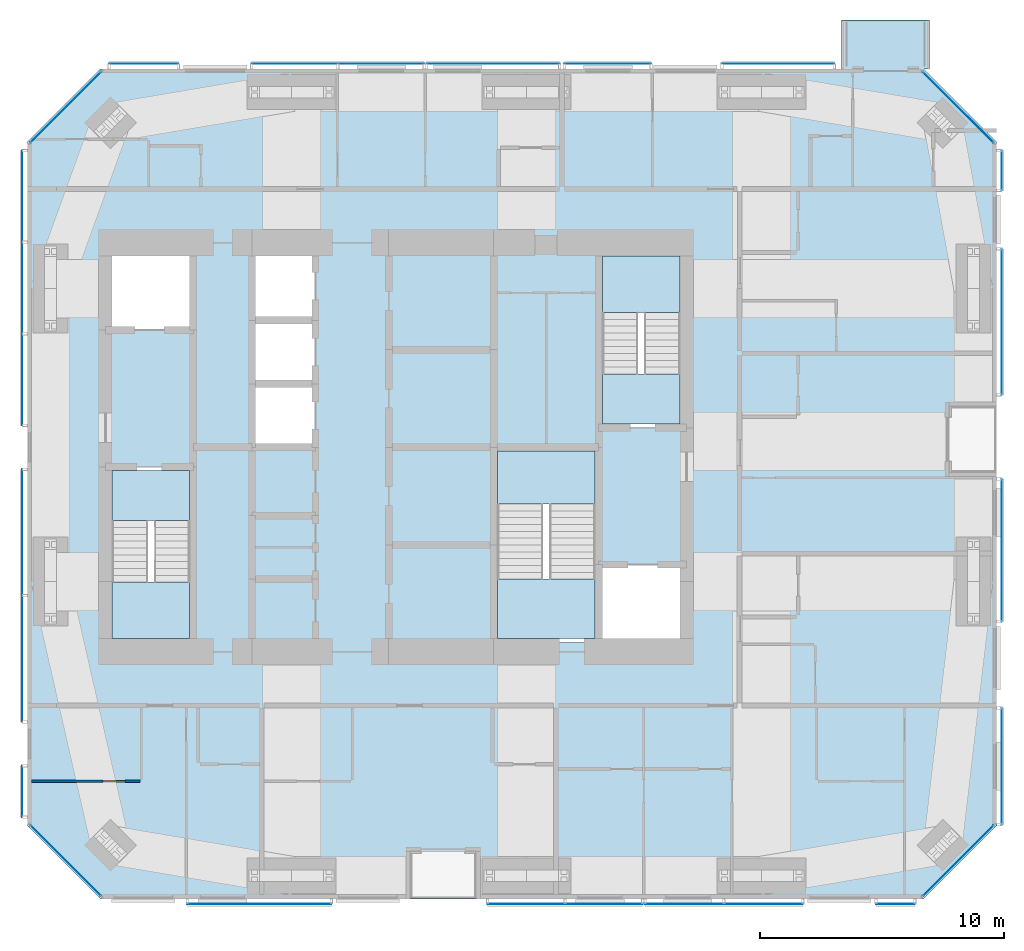
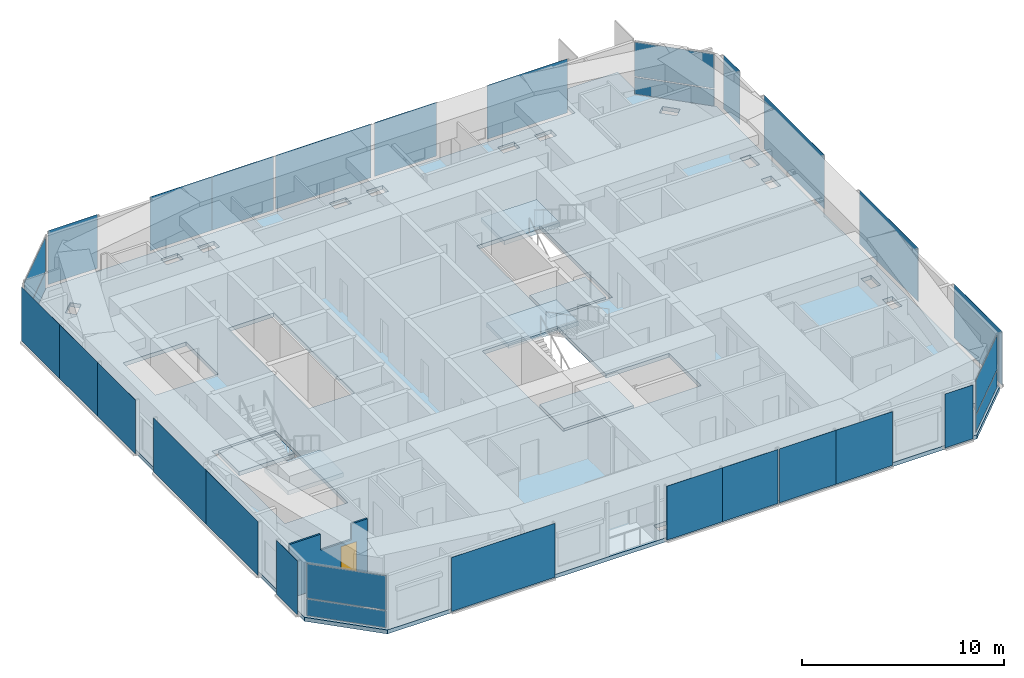
# One storey, part 12 of 19: 30 plates, 7 slabs, 1 door, 1 wall, 1 opening, 23 elements without a shape of their own.
"""IFC4 building model written with IfcOpenShell, lengths in metres."""

from ifc_helpers import new_model, si_unit, direction, frame, frame_2d, origin, origin_2d, place, context, subcontext, project, spatial, polyline, rectangle, outline, extrude, material, layer, layer_set, constituent, constituent_set, type_object, element, fill, aggregate, save


model = new_model("IFC4")

# Units and contexts
model_context = context("Model", 3, precision=1e-05, world=origin(), true_north=direction((0.0, 1.0)))
body_context = subcontext(model_context, "Body", "Model", "MODEL_VIEW")
ifc_project = project(units=[si_unit("LENGTHUNIT", "METRE"), si_unit("AREAUNIT", "SQUARE_METRE"), si_unit("VOLUMEUNIT", "CUBIC_METRE"), si_unit("PLANEANGLEUNIT", "RADIAN"), si_unit("MASSUNIT", "GRAM", prefix="KILO")], contexts=[model_context])

# Site, building, storey
site_placement = place(None, origin())
site = spatial("IfcSite", under=ifc_project, at=site_placement, CompositionType="ELEMENT")
building_placement = place(site_placement, origin())
building = spatial("IfcBuilding", under=site, at=building_placement, Name="Jalousie Tower", CompositionType="ELEMENT")
storey_placement = place(building_placement, frame((0.0, 0.0, 224.949951171875)))
storey = spatial("IfcBuildingStorey", under=building, at=storey_placement, Name="L61", CompositionType="ELEMENT", Elevation=224.949951171875)

# Curtain wall, plates
ifc_material_1 = material(Name="Aluminium curtain wall", Category="aluminium")
curtain_wall_type_1 = type_object("IfcCurtainWallType", Name="CORNER WINDOW WALL", PredefinedType="USERDEFINED", material=ifc_material_1)
curtain_wall_1_placement = place(storey_placement, origin())
curtain_wall_1 = element("IfcCurtainWall", 1, at=curtain_wall_1_placement, inside=storey, type_object=curtain_wall_type_1, Name="Corner Window Wall L61 2", ObjectType="CORNER WINDOW WALL", PredefinedType="USERDEFINED")
ifc_material_2 = material(Name="Laminated impact-rated spandrel glass", Category="glass")
ifc_layer_1 = layer(ifc_material_2, 0.028076171875)
ifc_layer_set_1 = layer_set([ifc_layer_1], Name="Laminated impact-rated spandrel glass")
plate_type_1 = type_object("IfcPlateType", Name="CORNER WINDOW WALL PANEL", PredefinedType="CURTAIN_PANEL", material=ifc_layer_set_1)
plate_1_placement = place(storey_placement, frame((54.9306640625, 1.5693359375, 0.06005859375), z_axis=(0.0, 0.0, 1.0), x_axis=(0.707106781187, 0.707106781187, 0.0)))
plate_1 = element("IfcPlate", 2, at=plate_1_placement, type_object=plate_type_1, Name="CW-C panel 1.1", PredefinedType="CURTAIN_PANEL", context=body_context, shape_type="SweptSolid", body=[
    extrude(rectangle(XDim=4.071533203125, YDim=0.028076171875, at=origin_2d()), origin(), (0.0, 0.0, 1.0), 1.010009765625),
])
plate_2_placement = place(storey_placement, frame((54.9306640625, 1.5693359375, 1.1298828125), z_axis=(0.0, 0.0, 1.0), x_axis=(0.707106781187, 0.707106781187, 0.0)))
plate_2 = element("IfcPlate", 3, at=plate_2_placement, type_object=plate_type_1, Name="CW-C panel 1.2", PredefinedType="CURTAIN_PANEL", context=body_context, shape_type="SweptSolid", body=[
    extrude(rectangle(XDim=4.071533203125, YDim=0.028076171875, at=origin_2d()), origin(), (0.0, 0.0, 1.0), 2.070068359375),
])
aggregate(curtain_wall_1, [plate_1, plate_2])

curtain_wall_2_placement = place(storey_placement, origin())
curtain_wall_2 = element("IfcCurtainWall", 4, at=curtain_wall_2_placement, inside=storey, type_object=curtain_wall_type_1, Name="Corner Window Wall L61 4", ObjectType="CORNER WINDOW WALL", PredefinedType="USERDEFINED")
plate_3_placement = place(storey_placement, frame((54.9306640625, 32.4306640625, 0.06005859375), z_axis=(0.0, 0.0, 1.0), x_axis=(-0.707106781187, 0.707106781187, 0.0)))
plate_3 = element("IfcPlate", 5, at=plate_3_placement, type_object=plate_type_1, Name="CW-C panel 1.1", PredefinedType="CURTAIN_PANEL", context=body_context, shape_type="SweptSolid", body=[
    extrude(rectangle(XDim=4.071533203125, YDim=0.028076171875, at=origin_2d()), origin(), (0.0, 0.0, 1.0), 1.010009765625),
])
plate_4_placement = place(storey_placement, frame((54.9306640625, 32.4306640625, 1.1298828125), z_axis=(0.0, 0.0, 1.0), x_axis=(-0.707106781187, 0.707106781187, 0.0)))
plate_4 = element("IfcPlate", 6, at=plate_4_placement, type_object=plate_type_1, Name="CW-C panel 1.2", PredefinedType="CURTAIN_PANEL", context=body_context, shape_type="SweptSolid", body=[
    extrude(rectangle(XDim=4.071533203125, YDim=0.028076171875, at=origin_2d()), origin(), (0.0, 0.0, 1.0), 2.070068359375),
])
aggregate(curtain_wall_2, [plate_3, plate_4])

curtain_wall_3_placement = place(storey_placement, origin())
curtain_wall_3 = element("IfcCurtainWall", 7, at=curtain_wall_3_placement, inside=storey, type_object=curtain_wall_type_1, Name="Corner Window Wall L61 6", ObjectType="CORNER WINDOW WALL", PredefinedType="USERDEFINED")
plate_5_placement = place(storey_placement, frame((18.369384765625, 32.4306640625, 0.06005859375), z_axis=(0.0, 0.0, 1.0), x_axis=(-0.707106781187, -0.707106781187, 0.0)))
plate_5 = element("IfcPlate", 8, at=plate_5_placement, type_object=plate_type_1, Name="CW-C panel 1.1", PredefinedType="CURTAIN_PANEL", context=body_context, shape_type="SweptSolid", body=[
    extrude(rectangle(XDim=4.071533203125, YDim=0.028076171875, at=origin_2d()), origin(), (0.0, 0.0, 1.0), 1.010009765625),
])
plate_6_placement = place(storey_placement, frame((18.369384765625, 32.4306640625, 1.1298828125), z_axis=(0.0, 0.0, 1.0), x_axis=(-0.707106781187, -0.707106781187, 0.0)))
plate_6 = element("IfcPlate", 9, at=plate_6_placement, type_object=plate_type_1, Name="CW-C panel 1.2", PredefinedType="CURTAIN_PANEL", context=body_context, shape_type="SweptSolid", body=[
    extrude(rectangle(XDim=4.071533203125, YDim=0.028076171875, at=origin_2d()), origin(), (0.0, 0.0, 1.0), 2.070068359375),
])
aggregate(curtain_wall_3, [plate_5, plate_6])

curtain_wall_4_placement = place(storey_placement, origin())
curtain_wall_4 = element("IfcCurtainWall", 10, at=curtain_wall_4_placement, inside=storey, type_object=curtain_wall_type_1, Name="Corner Window Wall L61 8", ObjectType="CORNER WINDOW WALL", PredefinedType="USERDEFINED")
plate_7_placement = place(storey_placement, frame((18.369384765625, 1.5693359375, 0.06005859375), z_axis=(0.0, 0.0, 1.0), x_axis=(0.707106781187, -0.707106781187, 0.0)))
plate_7 = element("IfcPlate", 11, at=plate_7_placement, type_object=plate_type_1, Name="CW-C panel 1.1", PredefinedType="CURTAIN_PANEL", context=body_context, shape_type="SweptSolid", body=[
    extrude(rectangle(XDim=4.071533203125, YDim=0.028076171875, at=origin_2d()), origin(), (0.0, 0.0, 1.0), 1.010009765625),
])
plate_8_placement = place(storey_placement, frame((18.369384765625, 1.5693359375, 1.1298828125), z_axis=(0.0, 0.0, 1.0), x_axis=(0.707106781187, -0.707106781187, 0.0)))
plate_8 = element("IfcPlate", 12, at=plate_8_placement, type_object=plate_type_1, Name="CW-C panel 1.2", PredefinedType="CURTAIN_PANEL", context=body_context, shape_type="SweptSolid", body=[
    extrude(rectangle(XDim=4.071533203125, YDim=0.028076171875, at=origin_2d()), origin(), (0.0, 0.0, 1.0), 2.070068359375),
])
aggregate(curtain_wall_4, [plate_7, plate_8])

# Slab
ifc_material_3 = material(Name="Concrete f'c 40 MPa", Category="concrete")
ifc_layer_2 = layer(ifc_material_3, 0.239990234375)
ifc_layer_set_2 = layer_set([ifc_layer_2], Name="Concrete f'c 40 MPa")
slab_type_1 = type_object("IfcSlabType", Name="FLOOR SLAB 240", PredefinedType="FLOOR", material=ifc_layer_set_2)
slab_1_placement = place(storey_placement, frame((0.0, 0.0, -0.239990234375)))
element("IfcSlab", 13, at=slab_1_placement, inside=storey, type_object=slab_type_1, Name="L61 floor slab", PredefinedType="FLOOR", context=body_context, shape_type="SweptSolid", body=[
    extrude(outline(polyline([(16.800048828125, 3.0), (16.800048828125, 31.0), (19.800048828125, 34.0), (50.148681640625, 34.0), (50.148681640625, 36.0), (53.748779296875, 36.0), (53.748779296875, 34.0), (53.5, 34.0), (56.5, 31.0), (56.5, 3.0), (53.5, 0.0), (19.800048828125, 0.0), (16.800048828125, 3.0)]), holes=[polyline([(55.836181640625, 26.52490234375), (55.263916015625, 26.52490234375), (55.263916015625, 25.574462890625), (55.836181640625, 25.574462890625), (55.836181640625, 26.52490234375)]), polyline([(55.836181640625, 23.47509765625), (55.836181640625, 24.425537109375), (55.263916015625, 24.425537109375), (55.263916015625, 23.47509765625), (55.836181640625, 23.47509765625)]), polyline([(55.836181640625, 13.574462890625), (55.836181640625, 14.52490234375), (55.263916015625, 14.52490234375), (55.263916015625, 13.574462890625), (55.836181640625, 13.574462890625)]), polyline([(55.836181640625, 11.47509765625), (55.836181640625, 12.425537109375), (55.263916015625, 12.425537109375), (55.263916015625, 11.47509765625), (55.836181640625, 11.47509765625)]), polyline([(54.177001953125, 1.6865234375), (54.8134765625, 2.322998046875), (54.40869140625, 2.727783203125), (53.772216796875, 2.09130859375), (54.177001953125, 1.6865234375)]), polyline([(53.772216796875, 31.90869140625), (54.40869140625, 31.272216796875), (54.8134765625, 31.677001953125), (54.177001953125, 32.3134765625), (53.772216796875, 31.90869140625)]), polyline([(47.449462890625, 33.336181640625), (47.449462890625, 32.763916015625), (48.39990234375, 32.763916015625), (48.39990234375, 33.336181640625), (47.449462890625, 33.336181640625)]), polyline([(47.449462890625, 1.236083984375), (47.449462890625, 0.663818359375), (48.39990234375, 0.663818359375), (48.39990234375, 1.236083984375), (47.449462890625, 1.236083984375)]), polyline([(46.300537109375, 33.336181640625), (45.35009765625, 33.336181640625), (45.35009765625, 32.763916015625), (46.300537109375, 32.763916015625), (46.300537109375, 33.336181640625)]), polyline([(46.300537109375, 0.663818359375), (46.300537109375, 1.236083984375), (45.35009765625, 1.236083984375), (45.35009765625, 0.663818359375), (46.300537109375, 0.663818359375)]), polyline([(43.800048828125, 19.300048828125), (43.800048828125, 26.5), (40.199951171875, 26.5), (40.199951171875, 19.300048828125), (43.800048828125, 19.300048828125)]), polyline([(43.800048828125, 10.5), (43.800048828125, 13.699951171875), (40.199951171875, 13.699951171875), (40.199951171875, 18.5), (35.89990234375, 18.5), (35.89990234375, 10.5), (43.800048828125, 10.5)]), polyline([(37.824462890625, 32.763916015625), (38.77490234375, 32.763916015625), (38.77490234375, 33.336181640625), (37.824462890625, 33.336181640625), (37.824462890625, 32.763916015625)]), polyline([(37.824462890625, 0.663818359375), (38.77490234375, 0.663818359375), (38.77490234375, 1.236083984375), (37.824462890625, 1.236083984375), (37.824462890625, 0.663818359375)]), polyline([(36.675537109375, 1.236083984375), (35.72509765625, 1.236083984375), (35.72509765625, 0.663818359375), (36.675537109375, 0.663818359375), (36.675537109375, 1.236083984375)]), polyline([(36.675537109375, 33.336181640625), (35.72509765625, 33.336181640625), (35.72509765625, 32.763916015625), (36.675537109375, 32.763916015625), (36.675537109375, 33.336181640625)]), polyline([(29.14990234375, 33.336181640625), (28.199462890625, 33.336181640625), (28.199462890625, 32.763916015625), (29.14990234375, 32.763916015625), (29.14990234375, 33.336181640625)]), polyline([(28.199462890625, 0.663818359375), (29.14990234375, 0.663818359375), (29.14990234375, 1.236083984375), (28.199462890625, 1.236083984375), (28.199462890625, 0.663818359375)]), polyline([(28.60009765625, 18.5), (28.60009765625, 26.5), (26.0, 26.5), (26.0, 18.5), (28.60009765625, 18.5)]), polyline([(26.10009765625, 32.763916015625), (27.050537109375, 32.763916015625), (27.050537109375, 33.336181640625), (26.10009765625, 33.336181640625), (26.10009765625, 32.763916015625)]), polyline([(26.10009765625, 0.663818359375), (27.050537109375, 0.663818359375), (27.050537109375, 1.236083984375), (26.10009765625, 1.236083984375), (26.10009765625, 0.663818359375)]), polyline([(23.60009765625, 23.300048828125), (23.60009765625, 26.5), (20.0, 26.5), (20.0, 23.300048828125), (23.60009765625, 23.300048828125)]), polyline([(23.60009765625, 10.5), (23.60009765625, 17.699951171875), (20.0, 17.699951171875), (20.0, 10.5), (23.60009765625, 10.5)]), polyline([(19.6865234375, 31.677001953125), (20.09130859375, 31.272216796875), (20.727783203125, 31.90869140625), (20.322998046875, 32.3134765625), (19.6865234375, 31.677001953125)]), polyline([(19.6865234375, 2.322998046875), (20.322998046875, 1.6865234375), (20.727783203125, 2.09130859375), (20.09130859375, 2.727783203125), (19.6865234375, 2.322998046875)]), polyline([(17.4638671875, 24.425537109375), (17.4638671875, 23.47509765625), (18.0361328125, 23.47509765625), (18.0361328125, 24.425537109375), (17.4638671875, 24.425537109375)]), polyline([(18.0361328125, 25.574462890625), (18.0361328125, 26.52490234375), (17.4638671875, 26.52490234375), (17.4638671875, 25.574462890625), (18.0361328125, 25.574462890625)]), polyline([(18.0361328125, 14.52490234375), (17.4638671875, 14.52490234375), (17.4638671875, 13.574462890625), (18.0361328125, 13.574462890625), (18.0361328125, 14.52490234375)]), polyline([(18.0361328125, 11.47509765625), (18.0361328125, 12.425537109375), (17.4638671875, 12.425537109375), (17.4638671875, 11.47509765625), (18.0361328125, 11.47509765625)])]), origin(), (0.0, 0.0, 1.0), 0.239990234375),
])

# Curtain wall, plate
ifc_material_4 = material(Name="Perforated aluminium sheet", Category="aluminium")
curtain_wall_type_2 = type_object("IfcCurtainWallType", Name="SOLAR SCREEN SS-2", PredefinedType="USERDEFINED", material=ifc_material_4)
curtain_wall_5_placement = place(storey_placement, origin())
curtain_wall_5 = element("IfcCurtainWall", 14, at=curtain_wall_5_placement, inside=storey, type_object=curtain_wall_type_2, Name="Solar screen L61", ObjectType="SOLAR SCREEN SS-2", PredefinedType="USERDEFINED")
ifc_material_5 = material(Name="Perforated aluminium sheet", Category="aluminium")
ifc_layer_3 = layer(ifc_material_5, 0.006103515625)
ifc_layer_set_3 = layer_set([ifc_layer_3], Name="Perforated aluminium sheet")
plate_type_2 = type_object("IfcPlateType", Name="SOLAR SCREEN SS-2 PANEL", PredefinedType="CURTAIN_PANEL", material=ifc_layer_set_3)
plate_9_placement = place(storey_placement, frame((26.300048828125, -0.201171875, 0.0), z_axis=(0.0, 0.0, 1.0), x_axis=(1.0, 0.0, 0.0)))
plate_9 = element("IfcPlate", 15, at=plate_9_placement, type_object=plate_type_2, Name="SS2 perforated panel 1", PredefinedType="CURTAIN_PANEL", context=body_context, shape_type="SweptSolid", body=[
    extrude(rectangle(XDim=5.89990234375, YDim=0.006103515625, at=origin_2d()), origin(), (0.0, 0.0, 1.0), 3.260009765625),
])
aggregate(curtain_wall_5, [plate_9])

# Curtain wall, plates
curtain_wall_6_placement = place(storey_placement, origin())
curtain_wall_6 = element("IfcCurtainWall", 16, at=curtain_wall_6_placement, inside=storey, type_object=curtain_wall_type_2, Name="Solar screen L61", ObjectType="SOLAR SCREEN SS-2", PredefinedType="USERDEFINED")
plate_10_placement = place(storey_placement, frame((37.237548828125, -0.201171875, 0.0), z_axis=(0.0, 0.0, 1.0), x_axis=(1.0, 0.0, 0.0)))
plate_10 = element("IfcPlate", 17, at=plate_10_placement, type_object=plate_type_2, Name="SS2 perforated panel 1", PredefinedType="CURTAIN_PANEL", context=body_context, shape_type="SweptSolid", body=[
    extrude(rectangle(XDim=3.175048828125, YDim=0.006103515625, at=origin_2d()), origin(), (0.0, 0.0, 1.0), 3.260009765625),
])
plate_11_placement = place(storey_placement, frame((40.41259765625, -0.201171875, 0.0), z_axis=(0.0, 0.0, 1.0), x_axis=(1.0, 0.0, 0.0)))
plate_11 = element("IfcPlate", 18, at=plate_11_placement, type_object=plate_type_2, Name="SS2 perforated panel 2", PredefinedType="CURTAIN_PANEL", context=body_context, shape_type="SweptSolid", body=[
    extrude(rectangle(XDim=3.175048828125, YDim=0.006103515625, at=origin_2d()), origin(), (0.0, 0.0, 1.0), 3.260009765625),
])
aggregate(curtain_wall_6, [plate_10, plate_11])

curtain_wall_7_placement = place(storey_placement, origin())
curtain_wall_7 = element("IfcCurtainWall", 19, at=curtain_wall_7_placement, inside=storey, type_object=curtain_wall_type_2, Name="Solar screen L61", ObjectType="SOLAR SCREEN SS-2", PredefinedType="USERDEFINED")
plate_12_placement = place(storey_placement, frame((43.71484375, -0.201171875, 0.0), z_axis=(0.0, 0.0, 1.0), x_axis=(1.0, 0.0, 0.0)))
plate_12 = element("IfcPlate", 20, at=plate_12_placement, type_object=plate_type_2, Name="SS2 perforated panel 1", PredefinedType="CURTAIN_PANEL", context=body_context, shape_type="SweptSolid", body=[
    extrude(rectangle(XDim=3.229736328125, YDim=0.006103515625, at=origin_2d()), origin(), (0.0, 0.0, 1.0), 3.260009765625),
])
plate_13_placement = place(storey_placement, frame((46.944580078125, -0.201171875, 0.0), z_axis=(0.0, 0.0, 1.0), x_axis=(1.0, 0.0, 0.0)))
plate_13 = element("IfcPlate", 21, at=plate_13_placement, type_object=plate_type_2, Name="SS2 perforated panel 2", PredefinedType="CURTAIN_PANEL", context=body_context, shape_type="SweptSolid", body=[
    extrude(rectangle(XDim=3.229736328125, YDim=0.006103515625, at=origin_2d()), origin(), (0.0, 0.0, 1.0), 3.260009765625),
])
aggregate(curtain_wall_7, [plate_12, plate_13])

# Curtain wall, plate
curtain_wall_8_placement = place(storey_placement, origin())
curtain_wall_8 = element("IfcCurtainWall", 22, at=curtain_wall_8_placement, inside=storey, type_object=curtain_wall_type_2, Name="Solar screen L61", ObjectType="SOLAR SCREEN SS-2", PredefinedType="USERDEFINED")
plate_14_placement = place(storey_placement, frame((52.35400390625, -0.201171875, 0.0), z_axis=(0.0, 0.0, 1.0), x_axis=(1.0, 0.0, 0.0)))
plate_14 = element("IfcPlate", 23, at=plate_14_placement, type_object=plate_type_2, Name="SS2 perforated panel 1", PredefinedType="CURTAIN_PANEL", context=body_context, shape_type="SweptSolid", body=[
    extrude(rectangle(XDim=1.58935546875, YDim=0.006103515625, at=origin_2d()), origin(), (0.0, 0.0, 1.0), 3.260009765625),
])
aggregate(curtain_wall_8, [plate_14])

curtain_wall_9_placement = place(storey_placement, origin())
curtain_wall_9 = element("IfcCurtainWall", 24, at=curtain_wall_9_placement, inside=storey, type_object=curtain_wall_type_2, Name="Solar screen L61", ObjectType="SOLAR SCREEN SS-2", PredefinedType="USERDEFINED")
plate_15_placement = place(storey_placement, frame((56.701171875, 5.438232421875, 0.0), z_axis=(0.0, 0.0, 1.0), x_axis=(0.0, 1.0, 0.0)))
plate_15 = element("IfcPlate", 25, at=plate_15_placement, type_object=plate_type_2, Name="SS2 perforated panel 1", PredefinedType="CURTAIN_PANEL", context=body_context, shape_type="SweptSolid", body=[
    extrude(rectangle(XDim=4.773681640625, YDim=0.006103515625, at=origin_2d()), origin(), (0.0, 0.0, 1.0), 3.260009765625),
])
aggregate(curtain_wall_9, [plate_15])

curtain_wall_10_placement = place(storey_placement, origin())
curtain_wall_10 = element("IfcCurtainWall", 26, at=curtain_wall_10_placement, inside=storey, type_object=curtain_wall_type_2, Name="Solar screen L61", ObjectType="SOLAR SCREEN SS-2", PredefinedType="USERDEFINED")
plate_16_placement = place(storey_placement, frame((56.701171875, 14.28369140625, 0.0), z_axis=(0.0, 0.0, 1.0), x_axis=(0.0, 1.0, 0.0)))
plate_16 = element("IfcPlate", 27, at=plate_16_placement, type_object=plate_type_2, Name="SS2 perforated panel 1", PredefinedType="CURTAIN_PANEL", context=body_context, shape_type="SweptSolid", body=[
    extrude(rectangle(XDim=5.83251953125, YDim=0.006103515625, at=origin_2d()), origin(), (0.0, 0.0, 1.0), 3.260009765625),
])
aggregate(curtain_wall_10, [plate_16])

curtain_wall_11_placement = place(storey_placement, origin())
curtain_wall_11 = element("IfcCurtainWall", 28, at=curtain_wall_11_placement, inside=storey, type_object=curtain_wall_type_2, Name="Solar screen L61", ObjectType="SOLAR SCREEN SS-2", PredefinedType="USERDEFINED")
plate_17_placement = place(storey_placement, frame((56.701171875, 23.637451171875, 0.0), z_axis=(0.0, 0.0, 1.0), x_axis=(0.0, 1.0, 0.0)))
plate_17 = element("IfcPlate", 29, at=plate_17_placement, type_object=plate_type_2, Name="SS2 perforated panel 1", PredefinedType="CURTAIN_PANEL", context=body_context, shape_type="SweptSolid", body=[
    extrude(rectangle(XDim=5.97509765625, YDim=0.006103515625, at=origin_2d()), origin(), (0.0, 0.0, 1.0), 3.260009765625),
])
aggregate(curtain_wall_11, [plate_17])

curtain_wall_12_placement = place(storey_placement, origin())
curtain_wall_12 = element("IfcCurtainWall", 30, at=curtain_wall_12_placement, inside=storey, type_object=curtain_wall_type_2, Name="Solar screen L61", ObjectType="SOLAR SCREEN SS-2", PredefinedType="USERDEFINED")
plate_18_placement = place(storey_placement, frame((56.701171875, 29.8369140625, 0.0), z_axis=(0.0, 0.0, 1.0), x_axis=(0.0, 1.0, 0.0)))
plate_18 = element("IfcPlate", 31, at=plate_18_placement, type_object=plate_type_2, Name="SS2 perforated panel 1", PredefinedType="CURTAIN_PANEL", context=body_context, shape_type="SweptSolid", body=[
    extrude(rectangle(XDim=1.623779296875, YDim=0.006103515625, at=origin_2d()), origin(), (0.0, 0.0, 1.0), 3.260009765625),
])
aggregate(curtain_wall_12, [plate_18])

curtain_wall_13_placement = place(storey_placement, origin())
curtain_wall_13 = element("IfcCurtainWall", 32, at=curtain_wall_13_placement, inside=storey, type_object=curtain_wall_type_2, Name="Solar screen L61", ObjectType="SOLAR SCREEN SS-2", PredefinedType="USERDEFINED")
plate_19_placement = place(storey_placement, frame((47.54931640625, 34.201171875, 0.0), z_axis=(0.0, 0.0, 1.0), x_axis=(-1.0, 0.0, 0.0)))
plate_19 = element("IfcPlate", 33, at=plate_19_placement, type_object=plate_type_2, Name="SS2 perforated panel 1", PredefinedType="CURTAIN_PANEL", context=body_context, shape_type="SweptSolid", body=[
    extrude(rectangle(XDim=4.5986328125, YDim=0.006103515625, at=origin_2d()), origin(), (0.0, 0.0, 1.0), 3.260009765625),
])
aggregate(curtain_wall_13, [plate_19])

curtain_wall_14_placement = place(storey_placement, origin())
curtain_wall_14 = element("IfcCurtainWall", 34, at=curtain_wall_14_placement, inside=storey, type_object=curtain_wall_type_2, Name="Solar screen L61", ObjectType="SOLAR SCREEN SS-2", PredefinedType="USERDEFINED")
plate_20_placement = place(storey_placement, frame((40.574951171875, 34.201171875, 0.0), z_axis=(0.0, 0.0, 1.0), x_axis=(-1.0, 0.0, 0.0)))
plate_20 = element("IfcPlate", 35, at=plate_20_placement, type_object=plate_type_2, Name="SS2 perforated panel 1", PredefinedType="CURTAIN_PANEL", context=body_context, shape_type="SweptSolid", body=[
    extrude(rectangle(XDim=3.550048828125, YDim=0.006103515625, at=origin_2d()), origin(), (0.0, 0.0, 1.0), 3.260009765625),
])
aggregate(curtain_wall_14, [plate_20])

curtain_wall_15_placement = place(storey_placement, origin())
curtain_wall_15 = element("IfcCurtainWall", 36, at=curtain_wall_15_placement, inside=storey, type_object=curtain_wall_type_2, Name="Solar screen L61", ObjectType="SOLAR SCREEN SS-2", PredefinedType="USERDEFINED")
plate_21_placement = place(storey_placement, frame((35.875, 34.201171875, 0.0), z_axis=(0.0, 0.0, 1.0), x_axis=(-1.0, 0.0, 0.0)))
plate_21 = element("IfcPlate", 37, at=plate_21_placement, type_object=plate_type_2, Name="SS2 perforated panel 1", PredefinedType="CURTAIN_PANEL", context=body_context, shape_type="SweptSolid", body=[
    extrude(rectangle(XDim=5.449951171875, YDim=0.006103515625, at=origin_2d()), origin(), (0.0, 0.0, 1.0), 3.260009765625),
])
aggregate(curtain_wall_15, [plate_21])

# Curtain wall, plates
curtain_wall_16_placement = place(storey_placement, origin())
curtain_wall_16 = element("IfcCurtainWall", 38, at=curtain_wall_16_placement, inside=storey, type_object=curtain_wall_type_2, Name="Solar screen L61", ObjectType="SOLAR SCREEN SS-2", PredefinedType="USERDEFINED")
plate_22_placement = place(storey_placement, frame((31.284423828125, 34.201171875, 0.0), z_axis=(0.0, 0.0, 1.0), x_axis=(-1.0, 0.0, 0.0)))
plate_22 = element("IfcPlate", 39, at=plate_22_placement, type_object=plate_type_2, Name="SS2 perforated panel 1", PredefinedType="CURTAIN_PANEL", context=body_context, shape_type="SweptSolid", body=[
    extrude(rectangle(XDim=3.531005859375, YDim=0.006103515625, at=origin_2d()), origin(), (0.0, 0.0, 1.0), 3.260009765625),
])
plate_23_placement = place(storey_placement, frame((27.753662109375, 34.201171875, 0.0), z_axis=(0.0, 0.0, 1.0), x_axis=(-1.0, 0.0, 0.0)))
plate_23 = element("IfcPlate", 40, at=plate_23_placement, type_object=plate_type_2, Name="SS2 perforated panel 2", PredefinedType="CURTAIN_PANEL", context=body_context, shape_type="SweptSolid", body=[
    extrude(rectangle(XDim=3.531005859375, YDim=0.006103515625, at=origin_2d()), origin(), (0.0, 0.0, 1.0), 3.260009765625),
])
aggregate(curtain_wall_16, [plate_22, plate_23])

# Curtain wall, plate
curtain_wall_17_placement = place(storey_placement, origin())
curtain_wall_17 = element("IfcCurtainWall", 41, at=curtain_wall_17_placement, inside=storey, type_object=curtain_wall_type_2, Name="Solar screen L61", ObjectType="SOLAR SCREEN SS-2", PredefinedType="USERDEFINED")
plate_24_placement = place(storey_placement, frame((21.569580078125, 34.201171875, 0.0), z_axis=(0.0, 0.0, 1.0), x_axis=(-1.0, 0.0, 0.0)))
plate_24 = element("IfcPlate", 42, at=plate_24_placement, type_object=plate_type_2, Name="SS2 perforated panel 1", PredefinedType="CURTAIN_PANEL", context=body_context, shape_type="SweptSolid", body=[
    extrude(rectangle(XDim=2.8369140625, YDim=0.006103515625, at=origin_2d()), origin(), (0.0, 0.0, 1.0), 3.260009765625),
])
aggregate(curtain_wall_17, [plate_24])

# Curtain wall, plates
curtain_wall_18_placement = place(storey_placement, origin())
curtain_wall_18 = element("IfcCurtainWall", 43, at=curtain_wall_18_placement, inside=storey, type_object=curtain_wall_type_2, Name="Solar screen L61", ObjectType="SOLAR SCREEN SS-2", PredefinedType="USERDEFINED")
plate_25_placement = place(storey_placement, frame((16.598876953125, 28.77392578125, 0.0), z_axis=(0.0, 0.0, 1.0), x_axis=(0.0, -1.0, 0.0)))
plate_25 = element("IfcPlate", 44, at=plate_25_placement, type_object=plate_type_2, Name="SS2 perforated panel 1", PredefinedType="CURTAIN_PANEL", context=body_context, shape_type="SweptSolid", body=[
    extrude(rectangle(XDim=3.74951171875, YDim=0.006103515625, at=origin_2d()), origin(), (0.0, 0.0, 1.0), 3.260009765625),
])
plate_26_placement = place(storey_placement, frame((16.598876953125, 25.0244140625, 0.0), z_axis=(0.0, 0.0, 1.0), x_axis=(0.0, -1.0, 0.0)))
plate_26 = element("IfcPlate", 45, at=plate_26_placement, type_object=plate_type_2, Name="SS2 perforated panel 2", PredefinedType="CURTAIN_PANEL", context=body_context, shape_type="SweptSolid", body=[
    extrude(rectangle(XDim=3.74951171875, YDim=0.006103515625, at=origin_2d()), origin(), (0.0, 0.0, 1.0), 3.260009765625),
])
plate_27_placement = place(storey_placement, frame((16.598876953125, 21.27490234375, 0.0), z_axis=(0.0, 0.0, 1.0), x_axis=(0.0, -1.0, 0.0)))
plate_27 = element("IfcPlate", 46, at=plate_27_placement, type_object=plate_type_2, Name="SS2 perforated panel 3", PredefinedType="CURTAIN_PANEL", context=body_context, shape_type="SweptSolid", body=[
    extrude(rectangle(XDim=3.74951171875, YDim=0.006103515625, at=origin_2d()), origin(), (0.0, 0.0, 1.0), 3.260009765625),
])
aggregate(curtain_wall_18, [plate_25, plate_26, plate_27])

curtain_wall_19_placement = place(storey_placement, origin())
curtain_wall_19 = element("IfcCurtainWall", 47, at=curtain_wall_19_placement, inside=storey, type_object=curtain_wall_type_2, Name="Solar screen L61", ObjectType="SOLAR SCREEN SS-2", PredefinedType="USERDEFINED")
plate_28_placement = place(storey_placement, frame((16.598876953125, 15.012451171875, 0.0), z_axis=(0.0, 0.0, 1.0), x_axis=(0.0, -1.0, 0.0)))
plate_28 = element("IfcPlate", 48, at=plate_28_placement, type_object=plate_type_2, Name="SS2 perforated panel 1", PredefinedType="CURTAIN_PANEL", context=body_context, shape_type="SweptSolid", body=[
    extrude(rectangle(XDim=5.175048828125, YDim=0.006103515625, at=origin_2d()), origin(), (0.0, 0.0, 1.0), 3.260009765625),
])
plate_29_placement = place(storey_placement, frame((16.598876953125, 9.83740234375, 0.0), z_axis=(0.0, 0.0, 1.0), x_axis=(0.0, -1.0, 0.0)))
plate_29 = element("IfcPlate", 49, at=plate_29_placement, type_object=plate_type_2, Name="SS2 perforated panel 2", PredefinedType="CURTAIN_PANEL", context=body_context, shape_type="SweptSolid", body=[
    extrude(rectangle(XDim=5.175048828125, YDim=0.006103515625, at=origin_2d()), origin(), (0.0, 0.0, 1.0), 3.260009765625),
])
aggregate(curtain_wall_19, [plate_28, plate_29])

# Curtain wall, plate
curtain_wall_20_placement = place(storey_placement, origin())
curtain_wall_20 = element("IfcCurtainWall", 50, at=curtain_wall_20_placement, inside=storey, type_object=curtain_wall_type_2, Name="Solar screen L61", ObjectType="SOLAR SCREEN SS-2", PredefinedType="USERDEFINED")
plate_30_placement = place(storey_placement, frame((16.598876953125, 4.400634765625, 0.0), z_axis=(0.0, 0.0, 1.0), x_axis=(0.0, -1.0, 0.0)))
plate_30 = element("IfcPlate", 51, at=plate_30_placement, type_object=plate_type_2, Name="SS2 perforated panel 1", PredefinedType="CURTAIN_PANEL", context=body_context, shape_type="SweptSolid", body=[
    extrude(rectangle(XDim=2.0986328125, YDim=0.006103515625, at=origin_2d()), origin(), (0.0, 0.0, 1.0), 3.260009765625),
])
aggregate(curtain_wall_20, [plate_30])

# Stair, slabs
ifc_material_6 = material(Name="Concrete f'c 40 MPa", Category="concrete")
stair_type = type_object("IfcStairType", Name="EXIT STAIR", PredefinedType="HALF_TURN_STAIR", material=ifc_material_6)
stair_1_placement = place(storey_placement, origin())
stair_1 = element("IfcStair", 52, at=stair_1_placement, inside=storey, type_object=stair_type, Name="Exit stair A L61", PredefinedType="HALF_TURN_STAIR")
ifc_material_7 = material(Name="Concrete f'c 40 MPa", Category="concrete")
ifc_layer_4 = layer(ifc_material_7, 0.25)
ifc_layer_set_4 = layer_set([ifc_layer_4], Name="Concrete f'c 40 MPa")
slab_type_2 = type_object("IfcSlabType", Name="STAIR LANDING 250", PredefinedType="LANDING", material=ifc_layer_set_4)
slab_2_placement = place(storey_placement, frame((0.0, 0.0, -0.25)))
slab_2 = element("IfcSlab", 53, at=slab_2_placement, type_object=slab_type_2, Name="ST-A landing 1", PredefinedType="LANDING", context=body_context, shape_type="SweptSolid", body=[
    extrude(outline(polyline([(20.27490234375, 15.49755859375), (23.449951171875, 15.49755859375), (23.449951171875, 17.550048828125), (20.27490234375, 17.550048828125), (20.27490234375, 15.49755859375)])), origin(), (0.0, 0.0, 1.0), 0.25),
])
slab_3_placement = place(storey_placement, frame((0.0, 0.0, 1.5)))
slab_3 = element("IfcSlab", 54, at=slab_3_placement, type_object=slab_type_2, Name="ST-A landing 2", PredefinedType="LANDING", context=body_context, shape_type="SweptSolid", body=[
    extrude(outline(polyline([(20.27490234375, 10.675048828125), (23.449951171875, 10.675048828125), (23.449951171875, 12.9775390625), (20.27490234375, 12.9775390625), (20.27490234375, 10.675048828125)])), origin(), (0.0, 0.0, 1.0), 0.25),
])
aggregate(stair_1, [slab_2, slab_3])

stair_2_placement = place(storey_placement, origin())
stair_2 = element("IfcStair", 55, at=stair_2_placement, inside=storey, type_object=stair_type, Name="Exit stair B L61", PredefinedType="HALF_TURN_STAIR")
slab_4_placement = place(storey_placement, frame((0.0, 0.0, -0.25)))
slab_4 = element("IfcSlab", 56, at=slab_4_placement, type_object=slab_type_2, Name="ST-B landing 1", PredefinedType="LANDING", context=body_context, shape_type="SweptSolid", body=[
    extrude(outline(polyline([(40.35009765625, 19.449951171875), (43.52490234375, 19.449951171875), (43.52490234375, 21.50244140625), (40.35009765625, 21.50244140625), (40.35009765625, 19.449951171875)])), origin(), (0.0, 0.0, 1.0), 0.25),
])
slab_5_placement = place(storey_placement, frame((0.0, 0.0, 1.5)))
slab_5 = element("IfcSlab", 57, at=slab_5_placement, type_object=slab_type_2, Name="ST-B landing 2", PredefinedType="LANDING", context=body_context, shape_type="SweptSolid", body=[
    extrude(outline(polyline([(40.35009765625, 24.0224609375), (43.52490234375, 24.0224609375), (43.52490234375, 26.324951171875), (40.35009765625, 26.324951171875), (40.35009765625, 24.0224609375)])), origin(), (0.0, 0.0, 1.0), 0.25),
])
aggregate(stair_2, [slab_4, slab_5])

stair_3_placement = place(storey_placement, origin())
stair_3 = element("IfcStair", 58, at=stair_3_placement, inside=storey, type_object=stair_type, Name="Exit stair C L61", PredefinedType="HALF_TURN_STAIR")
slab_6_placement = place(storey_placement, frame((0.0, 0.0, -0.25)))
slab_6 = element("IfcSlab", 59, at=slab_6_placement, type_object=slab_type_2, Name="ST-C landing 1", PredefinedType="LANDING", context=body_context, shape_type="SweptSolid", body=[
    extrude(outline(polyline([(36.050048828125, 10.675048828125), (40.050048828125, 10.675048828125), (40.050048828125, 13.097412109375), (36.050048828125, 13.097412109375), (36.050048828125, 10.675048828125)])), origin(), (0.0, 0.0, 1.0), 0.25),
])
slab_7_placement = place(storey_placement, frame((0.0, 0.0, 1.5)))
slab_7 = element("IfcSlab", 60, at=slab_7_placement, type_object=slab_type_2, Name="ST-C landing 2", PredefinedType="LANDING", context=body_context, shape_type="SweptSolid", body=[
    extrude(outline(polyline([(36.050048828125, 16.177490234375), (40.050048828125, 16.177490234375), (40.050048828125, 18.35009765625), (36.050048828125, 18.35009765625), (36.050048828125, 16.177490234375)])), origin(), (0.0, 0.0, 1.0), 0.25),
])
aggregate(stair_3, [slab_6, slab_7])

# Wall, opening, door
ifc_material_8 = material(Name="Gypsum board", Category="gypsum")
ifc_constituent_1 = constituent(ifc_material_8, Name="Body")
ifc_material_9 = material(Name="Light-gauge steel studs ASTM A653 SS Grade 33", Category="steel")
ifc_constituent_2 = constituent(ifc_material_9, Name="Framing")
ifc_constituent_set = constituent_set(constituents=[ifc_constituent_1, ifc_constituent_2])
wall_type = type_object("IfcWallType", Name="PARTITION 100", PredefinedType="PARTITIONING", material=ifc_constituent_set)
wall_placement = place(storey_placement, frame((16.97509765625, 4.824951171875, 0.0), z_axis=(0.0, 0.0, 1.0), x_axis=(1.0, 0.0, 0.0)))
wall = element("IfcWall", 61, at=wall_placement, inside=storey, type_object=wall_type, Name="Partition 100 L61", PredefinedType="PARTITIONING", context=body_context, shape_type="SweptSolid", body=[
    extrude(outline(polyline([(0.0, 0.0), (4.449951171875, 0.0), (4.449951171875, 3.260009765625), (3.51806640625, 3.260009765625), (3.51806640625, 2.300048828125), (1.754150390625, 2.300048828125), (1.754150390625, 3.260009765625), (0.0, 3.260009765625), (0.0, 0.0)])), frame((0.0, 0.050048828125, 0.0), z_axis=(0.0, -1.0, 0.0), x_axis=(1.0, 0.0, 0.0)), (0.0, 0.0, 1.0), 0.10009765625),
])
opening_placement = place(wall_placement, frame((2.925048828125, 0.0, 0.0)))
opening = element("IfcOpeningElement", 62, at=opening_placement, cuts=wall, Name="Opening D7", PredefinedType="OPENING", context=body_context, shape_type="SweptSolid", body=[
    extrude(rectangle(XDim=0.89990234375, YDim=2.10009765625, at=frame_2d((0.449951171875, 1.050048828125))), frame((0.0, 0.06005859375, 0.0), z_axis=(0.0, -1.0, 0.0), x_axis=(1.0, 0.0, 0.0)), (0.0, 0.0, 1.0), 0.1201171875),
])
ifc_material_10 = material(Name="Timber door", Category="wood")
door_type = type_object("IfcDoorType", Name="INTERNAL DOOR 900", OperationType="SINGLE_SWING_LEFT", PredefinedType="DOOR", material=ifc_material_10)
door_placement = place(opening_placement, origin())
door = element("IfcDoor", 63, at=door_placement, inside=storey, type_object=door_type, Name="Apartment 6101 kitchen door", OperationType="SINGLE_SWING_RIGHT", OverallHeight=2.10009765625, OverallWidth=0.89990234375, PredefinedType="DOOR", context=body_context, shape_type="SweptSolid", body=[
    extrude(rectangle(XDim=0.89990234375, YDim=2.10009765625, at=frame_2d((0.449951171875, 1.050048828125))), frame((0.0, 0.02490234375, 0.0), z_axis=(0.0, -1.0, 0.0), x_axis=(1.0, 0.0, 0.0)), (0.0, 0.0, 1.0), 0.050048828125),
])
fill(opening, door)

save(model, "model.ifc")
